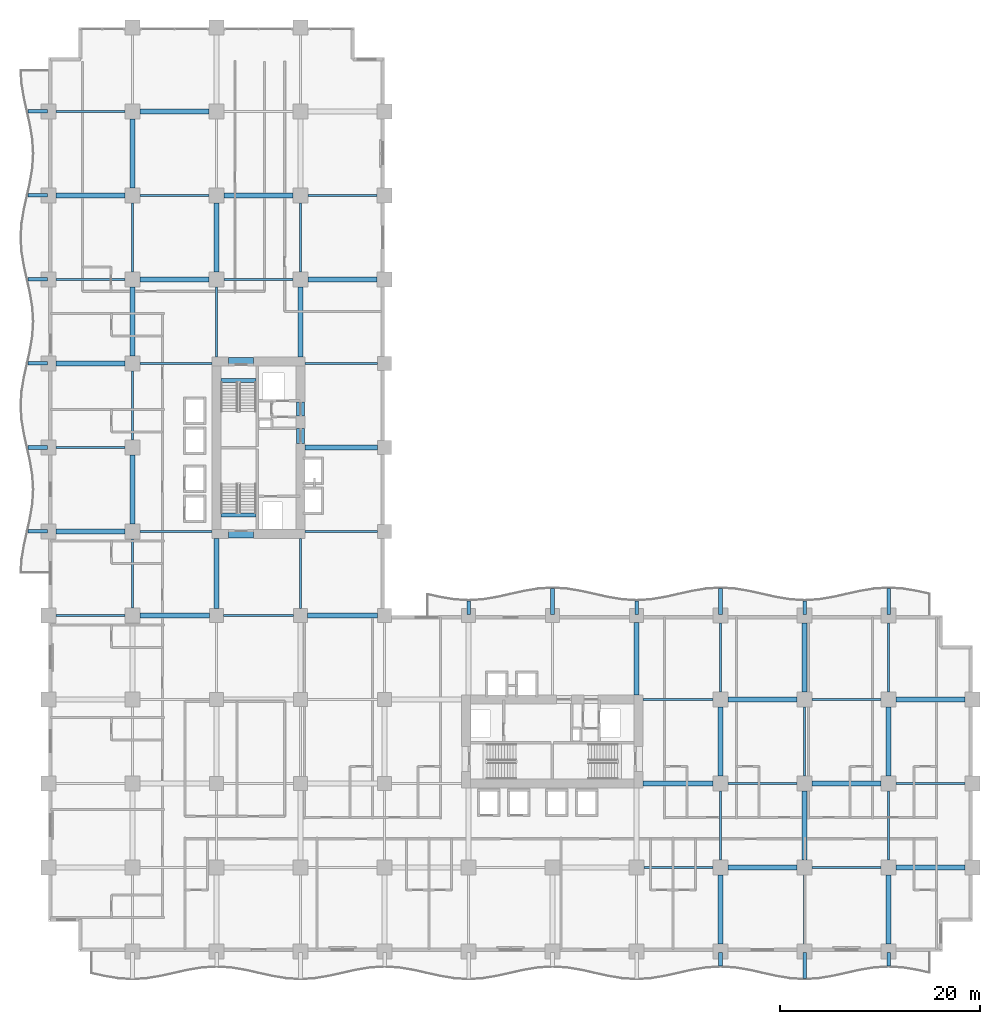
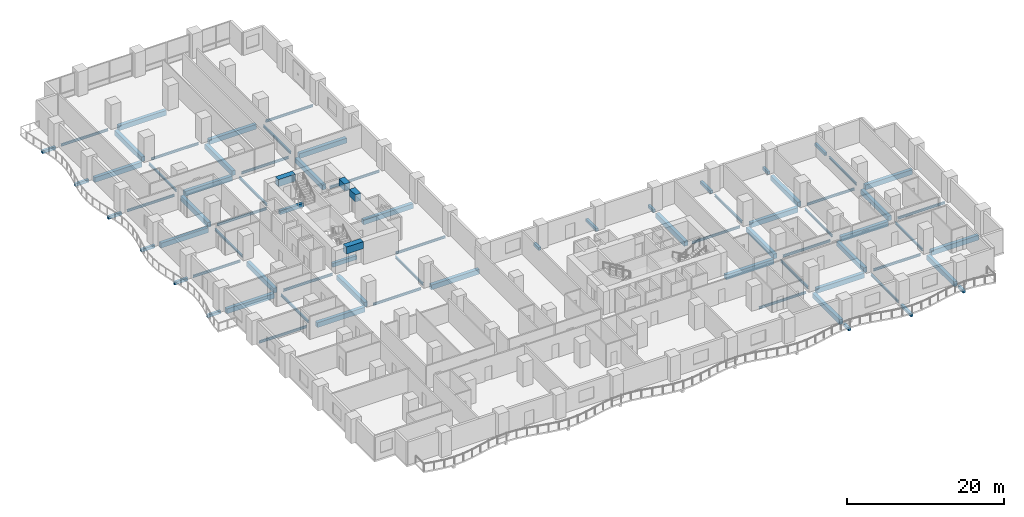
# One storey, part 2 of 24: 80 beams.
"""IFC4 building model written with IfcOpenShell, lengths in metres."""

from ifc_helpers import new_model, si_unit, direction, frame, origin, origin_2d, place, context, subcontext, project, spatial, rectangle, i_section, extrude, material, material_profile, profile_set, type_object, element, save


model = new_model("IFC4")

# Units and contexts
model_context = context("Model", 3, precision=1e-05, world=origin(), true_north=direction((0.0, 1.0)))
body_context = subcontext(model_context, "Body", "Model", "MODEL_VIEW")
ifc_project = project(units=[si_unit("LENGTHUNIT", "METRE"), si_unit("AREAUNIT", "SQUARE_METRE"), si_unit("VOLUMEUNIT", "CUBIC_METRE"), si_unit("PLANEANGLEUNIT", "RADIAN"), si_unit("MASSUNIT", "GRAM", prefix="KILO")], contexts=[model_context])

# Site, building, storey
site_placement = place(None, origin())
site = spatial("IfcSite", under=ifc_project, at=site_placement, CompositionType="ELEMENT")
building_placement = place(site_placement, origin())
building = spatial("IfcBuilding", under=site, at=building_placement, Name="Koriwani Terraces Tower", CompositionType="ELEMENT")
storey_placement = place(building_placement, frame((0.0, 0.0, 47.199951171875)))
storey = spatial("IfcBuildingStorey", under=building, at=storey_placement, Name="L10", CompositionType="ELEMENT", Elevation=47.199951171875)

# Beams
ifc_material_1 = material(Name="Concrete C40/50", Category="concrete")
ifc_material_profile_1 = material_profile(ifc_material_1, rectangle(XDim=0.35009765625, YDim=0.449951171875, at=origin_2d()), Name="Concrete C40/50", Category="LoadBearing")
ifc_profile_set_1 = profile_set([ifc_material_profile_1], Name="Concrete C40/50")
beam_type_1 = type_object("IfcBeamType", Name="BEAM_RC_BALCONY_RIB_350X450", PredefinedType="JOIST", material=ifc_profile_set_1)
beam_1_placement = place(storey_placement, frame((67.199951171875, -1.449951171875, -0.474853515625), z_axis=(0.0, 1.0, 0.0), x_axis=(-1.0, 0.0, 0.0)))
element("IfcBeam", 1, at=beam_1_placement, inside=storey, type_object=beam_type_1, Name="L10 Balcony Bracket Rib S-8", PredefinedType="JOIST", context=body_context, shape_type="SweptSolid", body=[
    extrude(rectangle(XDim=0.35009765625, YDim=0.449951171875, at=origin_2d()), origin(), (0.0, 0.0, 1.0), 1.349853515625),
])
beam_2_placement = place(storey_placement, frame((75.60009765625, -2.699951171875, -0.474853515625), z_axis=(0.0, 1.0, 0.0), x_axis=(-1.0, 0.0, 0.0)))
element("IfcBeam", 2, at=beam_2_placement, inside=storey, type_object=beam_type_1, Name="L10 Balcony Bracket Rib S-9", PredefinedType="JOIST", context=body_context, shape_type="SweptSolid", body=[
    extrude(rectangle(XDim=0.35009765625, YDim=0.449951171875, at=origin_2d()), origin(), (0.0, 0.0, 1.0), 2.599853515625),
])
beam_3_placement = place(storey_placement, frame((84.0, -1.449951171875, -0.474853515625), z_axis=(0.0, 1.0, 0.0), x_axis=(-1.0, 0.0, 0.0)))
element("IfcBeam", 3, at=beam_3_placement, inside=storey, type_object=beam_type_1, Name="L10 Balcony Bracket Rib S-10", PredefinedType="JOIST", context=body_context, shape_type="SweptSolid", body=[
    extrude(rectangle(XDim=0.35009765625, YDim=0.449951171875, at=origin_2d()), origin(), (0.0, 0.0, 1.0), 1.349853515625),
])
for number, where, z_axis, x_axis, name in (
    (4, (-2.074951171875, 42.0, -0.474853515625), (1.0, 0.0, 0.0), (0.0, 1.0, 0.0), "L10 Balcony Bracket Rib W-1"),
    (5, (-2.074951171875, 50.39990234375, -0.474853515625), (1.0, 0.0, 0.0), (0.0, 1.0, 0.0), "L10 Balcony Bracket Rib W-2"),
    (6, (-2.074951171875, 58.800048828125, -0.474853515625), (1.0, 0.0, 0.0), (0.0, 1.0, 0.0), "L10 Balcony Bracket Rib W-3"),
    (7, (-2.074951171875, 67.199951171875, -0.474853515625), (1.0, 0.0, 0.0), (0.0, 1.0, 0.0), "L10 Balcony Bracket Rib W-4"),
    (8, (-2.074951171875, 75.60009765625, -0.474853515625), (1.0, 0.0, 0.0), (0.0, 1.0, 0.0), "L10 Balcony Bracket Rib W-5"),
    (9, (-2.074951171875, 84.0, -0.474853515625), (1.0, 0.0, 0.0), (0.0, 1.0, 0.0), "L10 Balcony Bracket Rib W-6"),
):
    element("IfcBeam", number, at=place(storey_placement, frame(where, z_axis=z_axis, x_axis=x_axis)), inside=storey, type_object=beam_type_1, Name=name, PredefinedType="JOIST", context=body_context, shape_type="SweptSolid", body=[
        extrude(rectangle(XDim=0.35009765625, YDim=0.449951171875, at=origin_2d()), origin(), (0.0, 0.0, 1.0), 1.974853515625),
    ])
beam_4_placement = place(storey_placement, frame((42.0, 33.699951171875, -0.474853515625), z_axis=(0.0, 1.0, 0.0), x_axis=(-1.0, 0.0, 0.0)))
element("IfcBeam", 10, at=beam_4_placement, inside=storey, type_object=beam_type_1, Name="L10 Balcony Bracket Rib NE-1", PredefinedType="JOIST", context=body_context, shape_type="SweptSolid", body=[
    extrude(rectangle(XDim=0.35009765625, YDim=0.449951171875, at=origin_2d()), origin(), (0.0, 0.0, 1.0), 1.35009765625),
])
beam_5_placement = place(storey_placement, frame((50.39990234375, 33.699951171875, -0.474853515625), z_axis=(0.0, 1.0, 0.0), x_axis=(-1.0, 0.0, 0.0)))
element("IfcBeam", 11, at=beam_5_placement, inside=storey, type_object=beam_type_1, Name="L10 Balcony Bracket Rib NE-2", PredefinedType="JOIST", context=body_context, shape_type="SweptSolid", body=[
    extrude(rectangle(XDim=0.35009765625, YDim=0.449951171875, at=origin_2d()), origin(), (0.0, 0.0, 1.0), 2.60009765625),
])
beam_6_placement = place(storey_placement, frame((58.800048828125, 33.699951171875, -0.474853515625), z_axis=(0.0, 1.0, 0.0), x_axis=(-1.0, 0.0, 0.0)))
element("IfcBeam", 12, at=beam_6_placement, inside=storey, type_object=beam_type_1, Name="L10 Balcony Bracket Rib NE-3", PredefinedType="JOIST", context=body_context, shape_type="SweptSolid", body=[
    extrude(rectangle(XDim=0.35009765625, YDim=0.449951171875, at=origin_2d()), origin(), (0.0, 0.0, 1.0), 1.35009765625),
])
beam_7_placement = place(storey_placement, frame((67.199951171875, 33.699951171875, -0.474853515625), z_axis=(0.0, 1.0, 0.0), x_axis=(-1.0, 0.0, 0.0)))
element("IfcBeam", 13, at=beam_7_placement, inside=storey, type_object=beam_type_1, Name="L10 Balcony Bracket Rib NE-4", PredefinedType="JOIST", context=body_context, shape_type="SweptSolid", body=[
    extrude(rectangle(XDim=0.35009765625, YDim=0.449951171875, at=origin_2d()), origin(), (0.0, 0.0, 1.0), 2.60009765625),
])
beam_8_placement = place(storey_placement, frame((75.60009765625, 33.699951171875, -0.474853515625), z_axis=(0.0, 1.0, 0.0), x_axis=(-1.0, 0.0, 0.0)))
element("IfcBeam", 14, at=beam_8_placement, inside=storey, type_object=beam_type_1, Name="L10 Balcony Bracket Rib NE-5", PredefinedType="JOIST", context=body_context, shape_type="SweptSolid", body=[
    extrude(rectangle(XDim=0.35009765625, YDim=0.449951171875, at=origin_2d()), origin(), (0.0, 0.0, 1.0), 1.35009765625),
])
beam_9_placement = place(storey_placement, frame((84.0, 33.699951171875, -0.474853515625), z_axis=(0.0, 1.0, 0.0), x_axis=(-1.0, 0.0, 0.0)))
element("IfcBeam", 15, at=beam_9_placement, inside=storey, type_object=beam_type_1, Name="L10 Balcony Bracket Rib NE-6", PredefinedType="JOIST", context=body_context, shape_type="SweptSolid", body=[
    extrude(rectangle(XDim=0.35009765625, YDim=0.449951171875, at=origin_2d()), origin(), (0.0, 0.0, 1.0), 2.60009765625),
])
ifc_material_2 = material(Name="Concrete C60/75", Category="concrete")
ifc_material_profile_2 = material_profile(ifc_material_2, rectangle(XDim=0.800048828125, YDim=1.10009765625, at=origin_2d()), Name="Concrete C60/75", Category="LoadBearing")
ifc_profile_set_2 = profile_set([ifc_material_profile_2], Name="Concrete C60/75")
beam_type_2 = type_object("IfcBeamType", Name="BEAM_RC_COUPLING_800X1100", PredefinedType="LINTEL", material=ifc_profile_set_2)
beam_10_placement = place(storey_placement, frame((25.199951171875, 50.800048828125, 3.0), z_axis=(0.0, 1.0, 0.0), x_axis=(-1.0, 0.0, 0.0)))
element("IfcBeam", 16, at=beam_10_placement, inside=storey, type_object=beam_type_2, Name="L10 Core Coupling Lintel Beam WE1", PredefinedType="LINTEL", context=body_context, shape_type="SweptSolid", body=[
    extrude(rectangle(XDim=0.800048828125, YDim=1.10009765625, at=origin_2d()), origin(), (0.0, 0.0, 1.0), 1.47998046875),
])
beam_11_placement = place(storey_placement, frame((25.199951171875, 53.550048828125, 3.0), z_axis=(0.0, 1.0, 0.0), x_axis=(-1.0, 0.0, 0.0)))
element("IfcBeam", 17, at=beam_11_placement, inside=storey, type_object=beam_type_2, Name="L10 Core Coupling Lintel Beam WE2", PredefinedType="LINTEL", context=body_context, shape_type="SweptSolid", body=[
    extrude(rectangle(XDim=0.800048828125, YDim=1.10009765625, at=origin_2d()), origin(), (0.0, 0.0, 1.0), 1.39990234375),
])
for number, where, z_axis, x_axis, name in (
    (18, (18.0, 41.75, 3.0), (1.0, 0.0, 0.0), (0.0, 1.0, 0.0), "L10 Core Coupling Lintel Beam WS"),
    (19, (18.0, 59.0, 3.0), (1.0, 0.0, 0.0), (0.0, 1.0, 0.0), "L10 Core Coupling Lintel Beam WN"),
):
    element("IfcBeam", number, at=place(storey_placement, frame(where, z_axis=z_axis, x_axis=x_axis)), inside=storey, type_object=beam_type_2, Name=name, PredefinedType="LINTEL", context=body_context, shape_type="SweptSolid", body=[
        extrude(rectangle(XDim=0.800048828125, YDim=1.10009765625, at=origin_2d()), origin(), (0.0, 0.0, 1.0), 2.5),
    ])
ifc_material_profile_3 = material_profile(ifc_material_1, rectangle(XDim=0.39990234375, YDim=0.60009765625, at=origin_2d()), Name="Concrete C40/50", Category="LoadBearing")
ifc_profile_set_3 = profile_set([ifc_material_profile_3], Name="Concrete C40/50")
beam_type_3 = type_object("IfcBeamType", Name="BEAM_RC_GRID_400X600", PredefinedType="BEAM", material=ifc_profile_set_3)
for number, where, z_axis, x_axis, name in (
    (20, (17.25, 43.655029296875, -0.300048828125), (1.0, 0.0, 0.0), (0.0, 1.0, 0.0), "L10 Stairwell Header Trimmer Beam ST-W1"),
    (21, (17.25, 57.094970703125, -0.300048828125), (1.0, 0.0, 0.0), (0.0, 1.0, 0.0), "L10 Stairwell Header Trimmer Beam ST-W2"),
):
    element("IfcBeam", number, at=place(storey_placement, frame(where, z_axis=z_axis, x_axis=x_axis)), inside=storey, type_object=beam_type_3, Name=name, PredefinedType="BEAM", context=body_context, shape_type="SweptSolid", body=[
        extrude(rectangle(XDim=0.39990234375, YDim=0.60009765625, at=origin_2d()), origin(), (0.0, 0.0, 1.0), 3.5),
    ])
ifc_material_3 = material(Name="Concrete C50/60", Category="concrete")
ifc_material_profile_4 = material_profile(ifc_material_3, rectangle(XDim=0.5, YDim=0.75, at=origin_2d()), Name="Concrete C50/60", Category="LoadBearing")
ifc_profile_set_4 = profile_set([ifc_material_profile_4], Name="Concrete C50/60")
beam_type_4 = type_object("IfcBeamType", Name="BEAM_RC_GRID_500X750", PredefinedType="BEAM", material=ifc_profile_set_4)
beam_12_placement = place(storey_placement, frame((67.929931640625, 8.39990234375, -0.625), z_axis=(1.0, 0.0, 0.0), x_axis=(0.0, 1.0, 0.0)))
element("IfcBeam", 22, at=beam_12_placement, inside=storey, type_object=beam_type_4, Name="L10 Grid Beam B (67.2-75.6m)", PredefinedType="BEAM", context=body_context, shape_type="SweptSolid", body=[
    extrude(rectangle(XDim=0.5, YDim=0.75, at=origin_2d()), origin(), (0.0, 0.0, 1.0), 6.940185546875),
])
beam_13_placement = place(storey_placement, frame((84.72998046875, 8.39990234375, -0.625), z_axis=(1.0, 0.0, 0.0), x_axis=(0.0, 1.0, 0.0)))
element("IfcBeam", 23, at=beam_13_placement, inside=storey, type_object=beam_type_4, Name="L10 Grid Beam B (84.0-92.4m)", PredefinedType="BEAM", context=body_context, shape_type="SweptSolid", body=[
    extrude(rectangle(XDim=0.5, YDim=0.75, at=origin_2d()), origin(), (0.0, 0.0, 1.0), 6.93994140625),
])
beam_14_placement = place(storey_placement, frame((59.429931640625, 16.800048828125, -0.625), z_axis=(1.0, 0.0, 0.0), x_axis=(0.0, 1.0, 0.0)))
element("IfcBeam", 24, at=beam_14_placement, inside=storey, type_object=beam_type_4, Name="L10 Grid Beam C (58.8-67.2m)", PredefinedType="BEAM", context=body_context, shape_type="SweptSolid", body=[
    extrude(rectangle(XDim=0.5, YDim=0.75, at=origin_2d()), origin(), (0.0, 0.0, 1.0), 7.0400390625),
])
beam_15_placement = place(storey_placement, frame((76.330078125, 16.800048828125, -0.625), z_axis=(1.0, 0.0, 0.0), x_axis=(0.0, 1.0, 0.0)))
element("IfcBeam", 25, at=beam_15_placement, inside=storey, type_object=beam_type_4, Name="L10 Grid Beam C (75.6-84.0m)", PredefinedType="BEAM", context=body_context, shape_type="SweptSolid", body=[
    extrude(rectangle(XDim=0.5, YDim=0.75, at=origin_2d()), origin(), (0.0, 0.0, 1.0), 6.93994140625),
])
beam_16_placement = place(storey_placement, frame((67.929931640625, 25.199951171875, -0.625), z_axis=(1.0, 0.0, 0.0), x_axis=(0.0, 1.0, 0.0)))
element("IfcBeam", 26, at=beam_16_placement, inside=storey, type_object=beam_type_4, Name="L10 Grid Beam D (67.2-75.6m)", PredefinedType="BEAM", context=body_context, shape_type="SweptSolid", body=[
    extrude(rectangle(XDim=0.5, YDim=0.75, at=origin_2d()), origin(), (0.0, 0.0, 1.0), 6.940185546875),
])
beam_17_placement = place(storey_placement, frame((84.72998046875, 25.199951171875, -0.625), z_axis=(1.0, 0.0, 0.0), x_axis=(0.0, 1.0, 0.0)))
element("IfcBeam", 27, at=beam_17_placement, inside=storey, type_object=beam_type_4, Name="L10 Grid Beam D (84.0-92.4m)", PredefinedType="BEAM", context=body_context, shape_type="SweptSolid", body=[
    extrude(rectangle(XDim=0.5, YDim=0.75, at=origin_2d()), origin(), (0.0, 0.0, 1.0), 6.93994140625),
])
beam_18_placement = place(storey_placement, frame((9.1298828125, 33.60009765625, -0.625), z_axis=(1.0, 0.0, 0.0), x_axis=(0.0, 1.0, 0.0)))
element("IfcBeam", 28, at=beam_18_placement, inside=storey, type_object=beam_type_4, Name="L10 Grid Beam E (8.4-16.8m)", PredefinedType="BEAM", context=body_context, shape_type="SweptSolid", body=[
    extrude(rectangle(XDim=0.5, YDim=0.75, at=origin_2d()), origin(), (0.0, 0.0, 1.0), 6.990234375),
])
beam_19_placement = place(storey_placement, frame((25.8798828125, 33.60009765625, -0.625), z_axis=(1.0, 0.0, 0.0), x_axis=(0.0, 1.0, 0.0)))
element("IfcBeam", 29, at=beam_19_placement, inside=storey, type_object=beam_type_4, Name="L10 Grid Beam E (25.2-33.6m)", PredefinedType="BEAM", context=body_context, shape_type="SweptSolid", body=[
    extrude(rectangle(XDim=0.5, YDim=0.75, at=origin_2d()), origin(), (0.0, 0.0, 1.0), 7.0400390625),
])
beam_20_placement = place(storey_placement, frame((0.72998046875, 42.0, -0.625), z_axis=(1.0, 0.0, 0.0), x_axis=(0.0, 1.0, 0.0)))
element("IfcBeam", 30, at=beam_20_placement, inside=storey, type_object=beam_type_4, Name="L10 Grid Beam F (0.0-8.4m)", PredefinedType="BEAM", context=body_context, shape_type="SweptSolid", body=[
    extrude(rectangle(XDim=0.5, YDim=0.75, at=origin_2d()), origin(), (0.0, 0.0, 1.0), 6.93994140625),
])
beam_21_placement = place(storey_placement, frame((25.6298828125, 50.39990234375, -0.625), z_axis=(1.0, 0.0, 0.0), x_axis=(0.0, 1.0, 0.0)))
element("IfcBeam", 31, at=beam_21_placement, inside=storey, type_object=beam_type_4, Name="L10 Grid Beam G (25.2-33.6m)", PredefinedType="BEAM", context=body_context, shape_type="SweptSolid", body=[
    extrude(rectangle(XDim=0.5, YDim=0.75, at=origin_2d()), origin(), (0.0, 0.0, 1.0), 7.2900390625),
])
beam_22_placement = place(storey_placement, frame((0.72998046875, 58.800048828125, -0.625), z_axis=(1.0, 0.0, 0.0), x_axis=(0.0, 1.0, 0.0)))
element("IfcBeam", 32, at=beam_22_placement, inside=storey, type_object=beam_type_4, Name="L10 Grid Beam H (0.0-8.4m)", PredefinedType="BEAM", context=body_context, shape_type="SweptSolid", body=[
    extrude(rectangle(XDim=0.5, YDim=0.75, at=origin_2d()), origin(), (0.0, 0.0, 1.0), 6.93994140625),
])
for number, where, z_axis, x_axis, name in (
    (33, (9.1298828125, 67.199951171875, -0.625), (1.0, 0.0, 0.0), (0.0, 1.0, 0.0), "L10 Grid Beam I (8.4-16.8m)"),
    (34, (25.929931640625, 67.199951171875, -0.625), (1.0, 0.0, 0.0), (0.0, 1.0, 0.0), "L10 Grid Beam I (25.2-33.6m)"),
):
    element("IfcBeam", number, at=place(storey_placement, frame(where, z_axis=z_axis, x_axis=x_axis)), inside=storey, type_object=beam_type_4, Name=name, PredefinedType="BEAM", context=body_context, shape_type="SweptSolid", body=[
        extrude(rectangle(XDim=0.5, YDim=0.75, at=origin_2d()), origin(), (0.0, 0.0, 1.0), 6.940185546875),
    ])
for number, where, z_axis, x_axis, name in (
    (35, (0.72998046875, 75.60009765625, -0.625), (1.0, 0.0, 0.0), (0.0, 1.0, 0.0), "L10 Grid Beam J (0.0-8.4m)"),
    (36, (17.530029296875, 75.60009765625, -0.625), (1.0, 0.0, 0.0), (0.0, 1.0, 0.0), "L10 Grid Beam J (16.8-25.2m)"),
):
    element("IfcBeam", number, at=place(storey_placement, frame(where, z_axis=z_axis, x_axis=x_axis)), inside=storey, type_object=beam_type_4, Name=name, PredefinedType="BEAM", context=body_context, shape_type="SweptSolid", body=[
        extrude(rectangle(XDim=0.5, YDim=0.75, at=origin_2d()), origin(), (0.0, 0.0, 1.0), 6.93994140625),
    ])
beam_23_placement = place(storey_placement, frame((9.1298828125, 84.0, -0.625), z_axis=(1.0, 0.0, 0.0), x_axis=(0.0, 1.0, 0.0)))
element("IfcBeam", 37, at=beam_23_placement, inside=storey, type_object=beam_type_4, Name="L10 Grid Beam K (8.4-16.8m)", PredefinedType="BEAM", context=body_context, shape_type="SweptSolid", body=[
    extrude(rectangle(XDim=0.5, YDim=0.75, at=origin_2d()), origin(), (0.0, 0.0, 1.0), 6.940185546875),
])
for number, where, z_axis, x_axis, name in (
    (38, (8.39990234375, 42.72998046875, -0.625), (0.0, 1.0, 0.0), (-1.0, 0.0, 0.0), "L10 Grid Beam 2 (42.0-50.4m)"),
    (39, (8.39990234375, 59.530029296875, -0.625), (0.0, 1.0, 0.0), (-1.0, 0.0, 0.0), "L10 Grid Beam 2 (58.8-67.2m)"),
    (40, (8.39990234375, 76.330078125, -0.625), (0.0, 1.0, 0.0), (-1.0, 0.0, 0.0), "L10 Grid Beam 2 (75.6-84.0m)"),
):
    element("IfcBeam", number, at=place(storey_placement, frame(where, z_axis=z_axis, x_axis=x_axis)), inside=storey, type_object=beam_type_4, Name=name, PredefinedType="BEAM", context=body_context, shape_type="SweptSolid", body=[
        extrude(rectangle(XDim=0.5, YDim=0.75, at=origin_2d()), origin(), (0.0, 0.0, 1.0), 6.93994140625),
    ])
beam_24_placement = place(storey_placement, frame((16.800048828125, 34.280029296875, -0.625), z_axis=(0.0, 1.0, 0.0), x_axis=(-1.0, 0.0, 0.0)))
element("IfcBeam", 41, at=beam_24_placement, inside=storey, type_object=beam_type_4, Name="L10 Grid Beam 3 (33.6-42.0m)", PredefinedType="BEAM", context=body_context, shape_type="SweptSolid", body=[
    extrude(rectangle(XDim=0.5, YDim=0.75, at=origin_2d()), origin(), (0.0, 0.0, 1.0), 7.0400390625),
])
beam_25_placement = place(storey_placement, frame((16.800048828125, 67.929931640625, -0.625), z_axis=(0.0, 1.0, 0.0), x_axis=(-1.0, 0.0, 0.0)))
element("IfcBeam", 42, at=beam_25_placement, inside=storey, type_object=beam_type_4, Name="L10 Grid Beam 3 (67.2-75.6m)", PredefinedType="BEAM", context=body_context, shape_type="SweptSolid", body=[
    extrude(rectangle(XDim=0.5, YDim=0.75, at=origin_2d()), origin(), (0.0, 0.0, 1.0), 6.940185546875),
])
beam_26_placement = place(storey_placement, frame((25.199951171875, 59.429931640625, -0.625), z_axis=(0.0, 1.0, 0.0), x_axis=(-1.0, 0.0, 0.0)))
element("IfcBeam", 43, at=beam_26_placement, inside=storey, type_object=beam_type_4, Name="L10 Grid Beam 4 (58.8-67.2m)", PredefinedType="BEAM", context=body_context, shape_type="SweptSolid", body=[
    extrude(rectangle(XDim=0.5, YDim=0.75, at=origin_2d()), origin(), (0.0, 0.0, 1.0), 7.0400390625),
])
beam_27_placement = place(storey_placement, frame((58.800048828125, 25.6298828125, -0.625), z_axis=(0.0, 1.0, 0.0), x_axis=(-1.0, 0.0, 0.0)))
element("IfcBeam", 44, at=beam_27_placement, inside=storey, type_object=beam_type_4, Name="L10 Grid Beam 8 (25.2-33.6m)", PredefinedType="BEAM", context=body_context, shape_type="SweptSolid", body=[
    extrude(rectangle(XDim=0.5, YDim=0.75, at=origin_2d()), origin(), (0.0, 0.0, 1.0), 7.2900390625),
])
for number, where, z_axis, x_axis, name in (
    (45, (67.199951171875, 0.72998046875, -0.625), (0.0, 1.0, 0.0), (-1.0, 0.0, 0.0), "L10 Grid Beam 9 (0.0-8.4m)"),
    (46, (67.199951171875, 17.530029296875, -0.625), (0.0, 1.0, 0.0), (-1.0, 0.0, 0.0), "L10 Grid Beam 9 (16.8-25.2m)"),
):
    element("IfcBeam", number, at=place(storey_placement, frame(where, z_axis=z_axis, x_axis=x_axis)), inside=storey, type_object=beam_type_4, Name=name, PredefinedType="BEAM", context=body_context, shape_type="SweptSolid", body=[
        extrude(rectangle(XDim=0.5, YDim=0.75, at=origin_2d()), origin(), (0.0, 0.0, 1.0), 6.93994140625),
    ])
for number, where, z_axis, x_axis, name in (
    (47, (75.60009765625, 9.1298828125, -0.625), (0.0, 1.0, 0.0), (-1.0, 0.0, 0.0), "L10 Grid Beam 10 (8.4-16.8m)"),
    (48, (75.60009765625, 25.929931640625, -0.625), (0.0, 1.0, 0.0), (-1.0, 0.0, 0.0), "L10 Grid Beam 10 (25.2-33.6m)"),
):
    element("IfcBeam", number, at=place(storey_placement, frame(where, z_axis=z_axis, x_axis=x_axis)), inside=storey, type_object=beam_type_4, Name=name, PredefinedType="BEAM", context=body_context, shape_type="SweptSolid", body=[
        extrude(rectangle(XDim=0.5, YDim=0.75, at=origin_2d()), origin(), (0.0, 0.0, 1.0), 6.940185546875),
    ])
for number, where, z_axis, x_axis, name in (
    (49, (84.0, 0.72998046875, -0.625), (0.0, 1.0, 0.0), (-1.0, 0.0, 0.0), "L10 Grid Beam 11 (0.0-8.4m)"),
    (50, (84.0, 17.530029296875, -0.625), (0.0, 1.0, 0.0), (-1.0, 0.0, 0.0), "L10 Grid Beam 11 (16.8-25.2m)"),
):
    element("IfcBeam", number, at=place(storey_placement, frame(where, z_axis=z_axis, x_axis=x_axis)), inside=storey, type_object=beam_type_4, Name=name, PredefinedType="BEAM", context=body_context, shape_type="SweptSolid", body=[
        extrude(rectangle(XDim=0.5, YDim=0.75, at=origin_2d()), origin(), (0.0, 0.0, 1.0), 6.93994140625),
    ])
ifc_material_4 = material(Name="Steel ASTM A572 Grade 50", Category="steel")
ifc_material_profile_5 = material_profile(ifc_material_4, i_section(OverallWidth=0.205078125, OverallDepth=0.35400390625, WebThickness=0.009521484375, FlangeThickness=0.016845703125, at=origin_2d()), Name="Steel ASTM A572 Grade 50", Category="LoadBearing")
ifc_profile_set_5 = profile_set([ifc_material_profile_5], Name="Steel ASTM A572 Grade 50")
beam_type_5 = type_object("IfcBeamType", Name="STEEL_BEAM_W360X79", PredefinedType="JOIST", material=ifc_profile_set_5)
for number, where, z_axis, x_axis, name in (
    (51, (59.530029296875, 8.39990234375, -0.427001953125), (1.0, 0.0, 0.0), (0.0, 1.0, 0.0), "L10 Grid Beam B (58.8-67.2m)"),
    (52, (76.330078125, 8.39990234375, -0.427001953125), (1.0, 0.0, 0.0), (0.0, 1.0, 0.0), "L10 Grid Beam B (75.6-84.0m)"),
):
    element("IfcBeam", number, at=place(storey_placement, frame(where, z_axis=z_axis, x_axis=x_axis)), inside=storey, type_object=beam_type_5, Name=name, PredefinedType="JOIST", context=body_context, shape_type="SweptSolid", body=[
        extrude(i_section(OverallWidth=0.205078125, OverallDepth=0.35400390625, WebThickness=0.009521484375, FlangeThickness=0.016845703125, at=origin_2d()), origin(), (0.0, 0.0, 1.0), 6.93994140625),
    ])
beam_28_placement = place(storey_placement, frame((67.929931640625, 16.800048828125, -0.427001953125), z_axis=(1.0, 0.0, 0.0), x_axis=(0.0, 1.0, 0.0)))
element("IfcBeam", 53, at=beam_28_placement, inside=storey, type_object=beam_type_5, Name="L10 Grid Beam C (67.2-75.6m)", PredefinedType="JOIST", context=body_context, shape_type="SweptSolid", body=[
    extrude(i_section(OverallWidth=0.205078125, OverallDepth=0.35400390625, WebThickness=0.009521484375, FlangeThickness=0.016845703125, at=origin_2d()), origin(), (0.0, 0.0, 1.0), 6.940185546875),
])
beam_29_placement = place(storey_placement, frame((84.72998046875, 16.800048828125, -0.427001953125), z_axis=(1.0, 0.0, 0.0), x_axis=(0.0, 1.0, 0.0)))
element("IfcBeam", 54, at=beam_29_placement, inside=storey, type_object=beam_type_5, Name="L10 Grid Beam C (84.0-92.4m)", PredefinedType="JOIST", context=body_context, shape_type="SweptSolid", body=[
    extrude(i_section(OverallWidth=0.205078125, OverallDepth=0.35400390625, WebThickness=0.009521484375, FlangeThickness=0.016845703125, at=origin_2d()), origin(), (0.0, 0.0, 1.0), 6.93994140625),
])
beam_30_placement = place(storey_placement, frame((59.429931640625, 25.199951171875, -0.427001953125), z_axis=(1.0, 0.0, 0.0), x_axis=(0.0, 1.0, 0.0)))
element("IfcBeam", 55, at=beam_30_placement, inside=storey, type_object=beam_type_5, Name="L10 Grid Beam D (58.8-67.2m)", PredefinedType="JOIST", context=body_context, shape_type="SweptSolid", body=[
    extrude(i_section(OverallWidth=0.205078125, OverallDepth=0.35400390625, WebThickness=0.009521484375, FlangeThickness=0.016845703125, at=origin_2d()), origin(), (0.0, 0.0, 1.0), 7.0400390625),
])
for number, where, z_axis, x_axis, name in (
    (56, (76.330078125, 25.199951171875, -0.427001953125), (1.0, 0.0, 0.0), (0.0, 1.0, 0.0), "L10 Grid Beam D (75.6-84.0m)"),
    (57, (0.72998046875, 33.60009765625, -0.427001953125), (1.0, 0.0, 0.0), (0.0, 1.0, 0.0), "L10 Grid Beam E (0.0-8.4m)"),
):
    element("IfcBeam", number, at=place(storey_placement, frame(where, z_axis=z_axis, x_axis=x_axis)), inside=storey, type_object=beam_type_5, Name=name, PredefinedType="JOIST", context=body_context, shape_type="SweptSolid", body=[
        extrude(i_section(OverallWidth=0.205078125, OverallDepth=0.35400390625, WebThickness=0.009521484375, FlangeThickness=0.016845703125, at=origin_2d()), origin(), (0.0, 0.0, 1.0), 6.93994140625),
    ])
beam_31_placement = place(storey_placement, frame((17.47998046875, 33.60009765625, -0.427001953125), z_axis=(1.0, 0.0, 0.0), x_axis=(0.0, 1.0, 0.0)))
element("IfcBeam", 58, at=beam_31_placement, inside=storey, type_object=beam_type_5, Name="L10 Grid Beam E (16.8-25.2m)", PredefinedType="JOIST", context=body_context, shape_type="SweptSolid", body=[
    extrude(i_section(OverallWidth=0.205078125, OverallDepth=0.35400390625, WebThickness=0.009521484375, FlangeThickness=0.016845703125, at=origin_2d()), origin(), (0.0, 0.0, 1.0), 7.0400390625),
])
beam_32_placement = place(storey_placement, frame((9.1298828125, 42.0, -0.427001953125), z_axis=(1.0, 0.0, 0.0), x_axis=(0.0, 1.0, 0.0)))
element("IfcBeam", 59, at=beam_32_placement, inside=storey, type_object=beam_type_5, Name="L10 Grid Beam F (8.4-16.8m)", PredefinedType="JOIST", context=body_context, shape_type="SweptSolid", body=[
    extrude(i_section(OverallWidth=0.205078125, OverallDepth=0.35400390625, WebThickness=0.009521484375, FlangeThickness=0.016845703125, at=origin_2d()), origin(), (0.0, 0.0, 1.0), 7.240234375),
])
beam_33_placement = place(storey_placement, frame((25.6298828125, 42.0, -0.427001953125), z_axis=(1.0, 0.0, 0.0), x_axis=(0.0, 1.0, 0.0)))
element("IfcBeam", 60, at=beam_33_placement, inside=storey, type_object=beam_type_5, Name="L10 Grid Beam F (25.2-33.6m)", PredefinedType="JOIST", context=body_context, shape_type="SweptSolid", body=[
    extrude(i_section(OverallWidth=0.205078125, OverallDepth=0.35400390625, WebThickness=0.009521484375, FlangeThickness=0.016845703125, at=origin_2d()), origin(), (0.0, 0.0, 1.0), 7.2900390625),
])
beam_34_placement = place(storey_placement, frame((0.72998046875, 50.39990234375, -0.427001953125), z_axis=(1.0, 0.0, 0.0), x_axis=(0.0, 1.0, 0.0)))
element("IfcBeam", 61, at=beam_34_placement, inside=storey, type_object=beam_type_5, Name="L10 Grid Beam G (0.0-8.4m)", PredefinedType="JOIST", context=body_context, shape_type="SweptSolid", body=[
    extrude(i_section(OverallWidth=0.205078125, OverallDepth=0.35400390625, WebThickness=0.009521484375, FlangeThickness=0.016845703125, at=origin_2d()), origin(), (0.0, 0.0, 1.0), 6.93994140625),
])
beam_35_placement = place(storey_placement, frame((9.1298828125, 58.800048828125, -0.427001953125), z_axis=(1.0, 0.0, 0.0), x_axis=(0.0, 1.0, 0.0)))
element("IfcBeam", 62, at=beam_35_placement, inside=storey, type_object=beam_type_5, Name="L10 Grid Beam H (8.4-16.8m)", PredefinedType="JOIST", context=body_context, shape_type="SweptSolid", body=[
    extrude(i_section(OverallWidth=0.205078125, OverallDepth=0.35400390625, WebThickness=0.009521484375, FlangeThickness=0.016845703125, at=origin_2d()), origin(), (0.0, 0.0, 1.0), 7.240234375),
])
beam_36_placement = place(storey_placement, frame((25.6298828125, 58.800048828125, -0.427001953125), z_axis=(1.0, 0.0, 0.0), x_axis=(0.0, 1.0, 0.0)))
element("IfcBeam", 63, at=beam_36_placement, inside=storey, type_object=beam_type_5, Name="L10 Grid Beam H (25.2-33.6m)", PredefinedType="JOIST", context=body_context, shape_type="SweptSolid", body=[
    extrude(i_section(OverallWidth=0.205078125, OverallDepth=0.35400390625, WebThickness=0.009521484375, FlangeThickness=0.016845703125, at=origin_2d()), origin(), (0.0, 0.0, 1.0), 7.2900390625),
])
for number, where, z_axis, x_axis, name in (
    (64, (0.72998046875, 67.199951171875, -0.427001953125), (1.0, 0.0, 0.0), (0.0, 1.0, 0.0), "L10 Grid Beam I (0.0-8.4m)"),
    (65, (17.530029296875, 67.199951171875, -0.427001953125), (1.0, 0.0, 0.0), (0.0, 1.0, 0.0), "L10 Grid Beam I (16.8-25.2m)"),
):
    element("IfcBeam", number, at=place(storey_placement, frame(where, z_axis=z_axis, x_axis=x_axis)), inside=storey, type_object=beam_type_5, Name=name, PredefinedType="JOIST", context=body_context, shape_type="SweptSolid", body=[
        extrude(i_section(OverallWidth=0.205078125, OverallDepth=0.35400390625, WebThickness=0.009521484375, FlangeThickness=0.016845703125, at=origin_2d()), origin(), (0.0, 0.0, 1.0), 6.93994140625),
    ])
for number, where, z_axis, x_axis, name in (
    (66, (9.1298828125, 75.60009765625, -0.427001953125), (1.0, 0.0, 0.0), (0.0, 1.0, 0.0), "L10 Grid Beam J (8.4-16.8m)"),
    (67, (25.929931640625, 75.60009765625, -0.427001953125), (1.0, 0.0, 0.0), (0.0, 1.0, 0.0), "L10 Grid Beam J (25.2-33.6m)"),
):
    element("IfcBeam", number, at=place(storey_placement, frame(where, z_axis=z_axis, x_axis=x_axis)), inside=storey, type_object=beam_type_5, Name=name, PredefinedType="JOIST", context=body_context, shape_type="SweptSolid", body=[
        extrude(i_section(OverallWidth=0.205078125, OverallDepth=0.35400390625, WebThickness=0.009521484375, FlangeThickness=0.016845703125, at=origin_2d()), origin(), (0.0, 0.0, 1.0), 6.940185546875),
    ])
for number, where, z_axis, x_axis, name in (
    (68, (0.72998046875, 84.0, -0.427001953125), (1.0, 0.0, 0.0), (0.0, 1.0, 0.0), "L10 Grid Beam K (0.0-8.4m)"),
    (69, (8.39990234375, 34.330078125, -0.427001953125), (0.0, 1.0, 0.0), (-1.0, 0.0, 0.0), "L10 Grid Beam 2 (33.6-42.0m)"),
):
    element("IfcBeam", number, at=place(storey_placement, frame(where, z_axis=z_axis, x_axis=x_axis)), inside=storey, type_object=beam_type_5, Name=name, PredefinedType="JOIST", context=body_context, shape_type="SweptSolid", body=[
        extrude(i_section(OverallWidth=0.205078125, OverallDepth=0.35400390625, WebThickness=0.009521484375, FlangeThickness=0.016845703125, at=origin_2d()), origin(), (0.0, 0.0, 1.0), 6.93994140625),
    ])
for number, where, z_axis, x_axis, name in (
    (70, (8.39990234375, 51.1298828125, -0.427001953125), (0.0, 1.0, 0.0), (-1.0, 0.0, 0.0), "L10 Grid Beam 2 (50.4-58.8m)"),
    (71, (8.39990234375, 67.929931640625, -0.427001953125), (0.0, 1.0, 0.0), (-1.0, 0.0, 0.0), "L10 Grid Beam 2 (67.2-75.6m)"),
):
    element("IfcBeam", number, at=place(storey_placement, frame(where, z_axis=z_axis, x_axis=x_axis)), inside=storey, type_object=beam_type_5, Name=name, PredefinedType="JOIST", context=body_context, shape_type="SweptSolid", body=[
        extrude(i_section(OverallWidth=0.205078125, OverallDepth=0.35400390625, WebThickness=0.009521484375, FlangeThickness=0.016845703125, at=origin_2d()), origin(), (0.0, 0.0, 1.0), 6.940185546875),
    ])
for number, where, z_axis, x_axis, name in (
    (72, (16.800048828125, 59.429931640625, -0.427001953125), (0.0, 1.0, 0.0), (-1.0, 0.0, 0.0), "L10 Grid Beam 3 (58.8-67.2m)"),
    (73, (25.199951171875, 34.280029296875, -0.427001953125), (0.0, 1.0, 0.0), (-1.0, 0.0, 0.0), "L10 Grid Beam 4 (33.6-42.0m)"),
):
    element("IfcBeam", number, at=place(storey_placement, frame(where, z_axis=z_axis, x_axis=x_axis)), inside=storey, type_object=beam_type_5, Name=name, PredefinedType="JOIST", context=body_context, shape_type="SweptSolid", body=[
        extrude(i_section(OverallWidth=0.205078125, OverallDepth=0.35400390625, WebThickness=0.009521484375, FlangeThickness=0.016845703125, at=origin_2d()), origin(), (0.0, 0.0, 1.0), 7.0400390625),
    ])
for number, where, z_axis, x_axis, name in (
    (74, (25.199951171875, 67.929931640625, -0.427001953125), (0.0, 1.0, 0.0), (-1.0, 0.0, 0.0), "L10 Grid Beam 4 (67.2-75.6m)"),
    (75, (67.199951171875, 9.1298828125, -0.427001953125), (0.0, 1.0, 0.0), (-1.0, 0.0, 0.0), "L10 Grid Beam 9 (8.4-16.8m)"),
    (76, (67.199951171875, 25.929931640625, -0.427001953125), (0.0, 1.0, 0.0), (-1.0, 0.0, 0.0), "L10 Grid Beam 9 (25.2-33.6m)"),
):
    element("IfcBeam", number, at=place(storey_placement, frame(where, z_axis=z_axis, x_axis=x_axis)), inside=storey, type_object=beam_type_5, Name=name, PredefinedType="JOIST", context=body_context, shape_type="SweptSolid", body=[
        extrude(i_section(OverallWidth=0.205078125, OverallDepth=0.35400390625, WebThickness=0.009521484375, FlangeThickness=0.016845703125, at=origin_2d()), origin(), (0.0, 0.0, 1.0), 6.940185546875),
    ])
for number, where, z_axis, x_axis, name in (
    (77, (75.60009765625, 0.72998046875, -0.427001953125), (0.0, 1.0, 0.0), (-1.0, 0.0, 0.0), "L10 Grid Beam 10 (0.0-8.4m)"),
    (78, (75.60009765625, 17.530029296875, -0.427001953125), (0.0, 1.0, 0.0), (-1.0, 0.0, 0.0), "L10 Grid Beam 10 (16.8-25.2m)"),
):
    element("IfcBeam", number, at=place(storey_placement, frame(where, z_axis=z_axis, x_axis=x_axis)), inside=storey, type_object=beam_type_5, Name=name, PredefinedType="JOIST", context=body_context, shape_type="SweptSolid", body=[
        extrude(i_section(OverallWidth=0.205078125, OverallDepth=0.35400390625, WebThickness=0.009521484375, FlangeThickness=0.016845703125, at=origin_2d()), origin(), (0.0, 0.0, 1.0), 6.93994140625),
    ])
for number, where, z_axis, x_axis, name in (
    (79, (84.0, 9.1298828125, -0.427001953125), (0.0, 1.0, 0.0), (-1.0, 0.0, 0.0), "L10 Grid Beam 11 (8.4-16.8m)"),
    (80, (84.0, 25.929931640625, -0.427001953125), (0.0, 1.0, 0.0), (-1.0, 0.0, 0.0), "L10 Grid Beam 11 (25.2-33.6m)"),
):
    element("IfcBeam", number, at=place(storey_placement, frame(where, z_axis=z_axis, x_axis=x_axis)), inside=storey, type_object=beam_type_5, Name=name, PredefinedType="JOIST", context=body_context, shape_type="SweptSolid", body=[
        extrude(i_section(OverallWidth=0.205078125, OverallDepth=0.35400390625, WebThickness=0.009521484375, FlangeThickness=0.016845703125, at=origin_2d()), origin(), (0.0, 0.0, 1.0), 6.940185546875),
    ])

save(model, "model.ifc")
